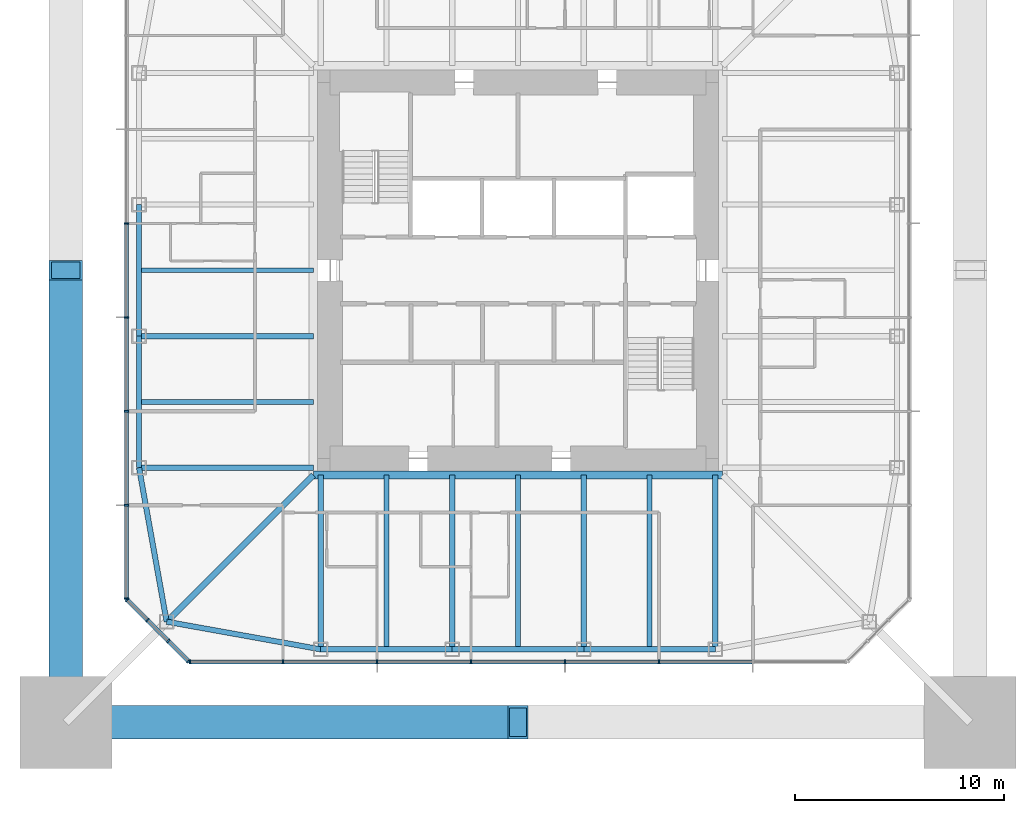
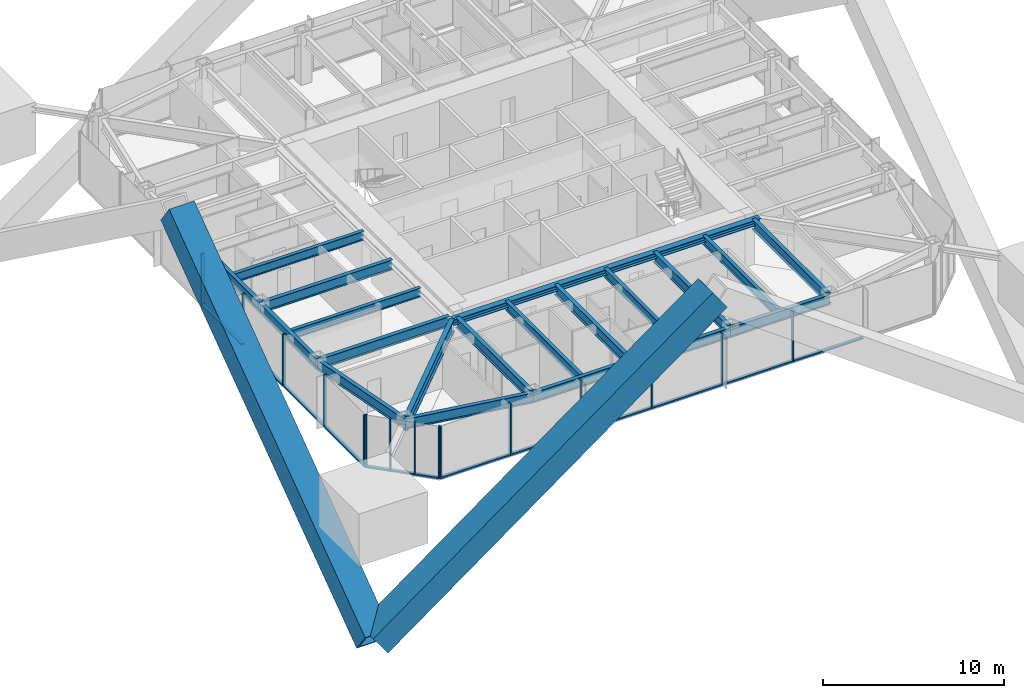
# One storey, part 2 of 13: 30 members, 20 beams, 3 elements without a shape of their own.
"""IFC4 building model written with IfcOpenShell, lengths in metres."""

from ifc_helpers import new_model, si_unit, direction, frame, origin, origin_2d, place, context, subcontext, project, spatial, rectangle, hollow_rectangle, i_section, extrude, material, material_profile, profile_set, type_object, element, aggregate, save


model = new_model("IFC4")

# Units and contexts
model_context = context("Model", 3, precision=1e-05, world=origin(), true_north=direction((0.0, 1.0)))
body_context = subcontext(model_context, "Body", "Model", "MODEL_VIEW")
ifc_project = project(units=[si_unit("LENGTHUNIT", "METRE"), si_unit("AREAUNIT", "SQUARE_METRE"), si_unit("VOLUMEUNIT", "CUBIC_METRE"), si_unit("PLANEANGLEUNIT", "RADIAN"), si_unit("MASSUNIT", "GRAM", prefix="KILO")], contexts=[model_context])

# Site, building, storey
site_placement = place(None, origin())
site = spatial("IfcSite", under=ifc_project, at=site_placement, CompositionType="ELEMENT")
building_placement = place(site_placement, origin())
building = spatial("IfcBuilding", under=site, at=building_placement, Name="Iwan Alto Co-Living Towers", CompositionType="ELEMENT")
storey_placement = place(building_placement, frame((0.0, 0.0, 184.5)))
storey = spatial("IfcBuildingStorey", under=building, at=storey_placement, Name="L50", CompositionType="ELEMENT", Elevation=184.5)

# Curtain wall, members
ifc_material_1 = material(Name="Bronze aluminium unitised frame", Category="aluminium")
curtain_wall_type_1 = type_object("IfcCurtainWallType", Name="CURTAIN WALL CW-A", PredefinedType="NOTDEFINED", material=ifc_material_1)
curtain_wall_1_placement = place(storey_placement, origin())
curtain_wall_1 = element("IfcCurtainWall", 1, at=curtain_wall_1_placement, inside=storey, type_object=curtain_wall_type_1, Name="T1 curtain wall S L50", PredefinedType="NOTDEFINED")
ifc_material_2 = material(Name="Aluminium 6063-T6 bronze anodised", Category="aluminium")
ifc_material_profile_1 = material_profile(ifc_material_2, rectangle(XDim=0.199951171875, YDim=0.080078125, at=origin_2d()), Name="AL 80X200")
ifc_profile_set_1 = profile_set([ifc_material_profile_1], Name="Aluminium 6063-T6 bronze anodised")
member_type_1 = type_object("IfcMemberType", Name="CW-A MULLION 80X200", PredefinedType="MULLION", material=ifc_profile_set_1)
member_1_placement = place(storey_placement, frame((-15.7099609375, -18.75, 0.0), z_axis=(0.0, 0.0, 1.0), x_axis=(0.0, 1.0, 0.0)))
member_1 = element("IfcMember", 2, at=member_1_placement, type_object=member_type_1, Name="CW-A mullion 1", PredefinedType="MULLION", context=body_context, shape_type="SweptSolid", body=[
    extrude(rectangle(XDim=0.199951171875, YDim=0.080078125, at=origin_2d()), origin(), (0.0, 0.0, 1.0), 3.5),
])
member_2_placement = place(storey_placement, frame((-11.25, -18.75, 0.0), z_axis=(0.0, 0.0, 1.0), x_axis=(0.0, 1.0, 0.0)))
member_2 = element("IfcMember", 3, at=member_2_placement, type_object=member_type_1, Name="CW-A mullion 2", PredefinedType="MULLION", context=body_context, shape_type="SweptSolid", body=[
    extrude(rectangle(XDim=0.199951171875, YDim=0.080078125, at=origin_2d()), origin(), (0.0, 0.0, 1.0), 3.5),
])
member_3_placement = place(storey_placement, frame((-6.75, -18.75, 0.0), z_axis=(0.0, 0.0, 1.0), x_axis=(0.0, 1.0, 0.0)))
member_3 = element("IfcMember", 4, at=member_3_placement, type_object=member_type_1, Name="CW-A mullion 3", PredefinedType="MULLION", context=body_context, shape_type="SweptSolid", body=[
    extrude(rectangle(XDim=0.199951171875, YDim=0.080078125, at=origin_2d()), origin(), (0.0, 0.0, 1.0), 3.5),
])
member_4_placement = place(storey_placement, frame((-2.25, -18.75, 0.0), z_axis=(0.0, 0.0, 1.0), x_axis=(0.0, 1.0, 0.0)))
member_4 = element("IfcMember", 5, at=member_4_placement, type_object=member_type_1, Name="CW-A mullion 4", PredefinedType="MULLION", context=body_context, shape_type="SweptSolid", body=[
    extrude(rectangle(XDim=0.199951171875, YDim=0.080078125, at=origin_2d()), origin(), (0.0, 0.0, 1.0), 3.5),
])
member_5_placement = place(storey_placement, frame((2.25, -18.75, 0.0), z_axis=(0.0, 0.0, 1.0), x_axis=(0.0, 1.0, 0.0)))
member_5 = element("IfcMember", 6, at=member_5_placement, type_object=member_type_1, Name="CW-A mullion 5", PredefinedType="MULLION", context=body_context, shape_type="SweptSolid", body=[
    extrude(rectangle(XDim=0.199951171875, YDim=0.080078125, at=origin_2d()), origin(), (0.0, 0.0, 1.0), 3.5),
])
member_6_placement = place(storey_placement, frame((6.75, -18.75, 0.0), z_axis=(0.0, 0.0, 1.0), x_axis=(0.0, 1.0, 0.0)))
member_6 = element("IfcMember", 7, at=member_6_placement, type_object=member_type_1, Name="CW-A mullion 6", PredefinedType="MULLION", context=body_context, shape_type="SweptSolid", body=[
    extrude(rectangle(XDim=0.199951171875, YDim=0.080078125, at=origin_2d()), origin(), (0.0, 0.0, 1.0), 3.5),
])

curtain_wall_2_placement = place(storey_placement, origin())
curtain_wall_2 = element("IfcCurtainWall", 8, at=curtain_wall_2_placement, inside=storey, type_object=curtain_wall_type_1, Name="T1 curtain wall W L50", PredefinedType="NOTDEFINED")
member_7_placement = place(storey_placement, frame((-18.75, 2.25, 0.0), z_axis=(0.0, 0.0, 1.0), x_axis=(1.0, 0.0, 0.0)))
member_7 = element("IfcMember", 9, at=member_7_placement, type_object=member_type_1, Name="CW-A mullion 4", PredefinedType="MULLION", context=body_context, shape_type="SweptSolid", body=[
    extrude(rectangle(XDim=0.199951171875, YDim=0.080078125, at=origin_2d()), origin(), (0.0, 0.0, 1.0), 3.5),
])
member_8_placement = place(storey_placement, frame((-18.75, -2.25, 0.0), z_axis=(0.0, 0.0, 1.0), x_axis=(1.0, 0.0, 0.0)))
member_8 = element("IfcMember", 10, at=member_8_placement, type_object=member_type_1, Name="CW-A mullion 5", PredefinedType="MULLION", context=body_context, shape_type="SweptSolid", body=[
    extrude(rectangle(XDim=0.199951171875, YDim=0.080078125, at=origin_2d()), origin(), (0.0, 0.0, 1.0), 3.5),
])
member_9_placement = place(storey_placement, frame((-18.75, -6.75, 0.0), z_axis=(0.0, 0.0, 1.0), x_axis=(1.0, 0.0, 0.0)))
member_9 = element("IfcMember", 11, at=member_9_placement, type_object=member_type_1, Name="CW-A mullion 6", PredefinedType="MULLION", context=body_context, shape_type="SweptSolid", body=[
    extrude(rectangle(XDim=0.199951171875, YDim=0.080078125, at=origin_2d()), origin(), (0.0, 0.0, 1.0), 3.5),
])
member_10_placement = place(storey_placement, frame((-18.75, -11.25, 0.0), z_axis=(0.0, 0.0, 1.0), x_axis=(1.0, 0.0, 0.0)))
member_10 = element("IfcMember", 12, at=member_10_placement, type_object=member_type_1, Name="CW-A mullion 7", PredefinedType="MULLION", context=body_context, shape_type="SweptSolid", body=[
    extrude(rectangle(XDim=0.199951171875, YDim=0.080078125, at=origin_2d()), origin(), (0.0, 0.0, 1.0), 3.5),
])
member_11_placement = place(storey_placement, frame((-18.75, -15.7099609375, 0.0), z_axis=(0.0, 0.0, 1.0), x_axis=(1.0, 0.0, 0.0)))
member_11 = element("IfcMember", 13, at=member_11_placement, type_object=member_type_1, Name="CW-A mullion 8", PredefinedType="MULLION", context=body_context, shape_type="SweptSolid", body=[
    extrude(rectangle(XDim=0.199951171875, YDim=0.080078125, at=origin_2d()), origin(), (0.0, 0.0, 1.0), 3.5),
])

# Member
ifc_material_3 = material(Name="Aluminium 6063-T6 bronze anodised", Category="aluminium")
ifc_material_profile_2 = material_profile(ifc_material_3, rectangle(XDim=0.199951171875, YDim=0.10009765625, at=origin_2d()), Name="AL 200X100")
ifc_profile_set_2 = profile_set([ifc_material_profile_2], Name="Aluminium 6063-T6 bronze anodised")
member_type_2 = type_object("IfcMemberType", Name="CW-A TRANSOM 200X100", PredefinedType="USERDEFINED", material=ifc_profile_set_2)
member_12_placement = place(storey_placement, frame((-15.669921875, -18.75, 0.050048828125), z_axis=(1.0, 0.0, 0.0), x_axis=(0.0, 1.0, 0.0)))
member_12 = element("IfcMember", 14, at=member_12_placement, type_object=member_type_2, Name="CW-A transom 1.1", ObjectType="TRANSOM", PredefinedType="USERDEFINED", context=body_context, shape_type="SweptSolid", body=[
    extrude(rectangle(XDim=0.199951171875, YDim=0.10009765625, at=origin_2d()), origin(), (0.0, 0.0, 1.0), 4.3798828125),
])

member_13_placement = place(storey_placement, frame((-11.2099609375, -18.75, 0.050048828125), z_axis=(1.0, 0.0, 0.0), x_axis=(0.0, 1.0, 0.0)))
member_13 = element("IfcMember", 15, at=member_13_placement, type_object=member_type_2, Name="CW-A transom 2.1", ObjectType="TRANSOM", PredefinedType="USERDEFINED", context=body_context, shape_type="SweptSolid", body=[
    extrude(rectangle(XDim=0.199951171875, YDim=0.10009765625, at=origin_2d()), origin(), (0.0, 0.0, 1.0), 4.419921875),
])

member_14_placement = place(storey_placement, frame((-6.7099609375, -18.75, 0.050048828125), z_axis=(1.0, 0.0, 0.0), x_axis=(0.0, 1.0, 0.0)))
member_14 = element("IfcMember", 16, at=member_14_placement, type_object=member_type_2, Name="CW-A transom 3.1", ObjectType="TRANSOM", PredefinedType="USERDEFINED", context=body_context, shape_type="SweptSolid", body=[
    extrude(rectangle(XDim=0.199951171875, YDim=0.10009765625, at=origin_2d()), origin(), (0.0, 0.0, 1.0), 4.419921875),
])

member_15_placement = place(storey_placement, frame((-2.2099609375, -18.75, 0.050048828125), z_axis=(1.0, 0.0, 0.0), x_axis=(0.0, 1.0, 0.0)))
member_15 = element("IfcMember", 17, at=member_15_placement, type_object=member_type_2, Name="CW-A transom 4.1", ObjectType="TRANSOM", PredefinedType="USERDEFINED", context=body_context, shape_type="SweptSolid", body=[
    extrude(rectangle(XDim=0.199951171875, YDim=0.10009765625, at=origin_2d()), origin(), (0.0, 0.0, 1.0), 4.419921875),
])

member_16_placement = place(storey_placement, frame((2.2900390625, -18.75, 0.050048828125), z_axis=(1.0, 0.0, 0.0), x_axis=(0.0, 1.0, 0.0)))
member_16 = element("IfcMember", 18, at=member_16_placement, type_object=member_type_2, Name="CW-A transom 5.1", ObjectType="TRANSOM", PredefinedType="USERDEFINED", context=body_context, shape_type="SweptSolid", body=[
    extrude(rectangle(XDim=0.199951171875, YDim=0.10009765625, at=origin_2d()), origin(), (0.0, 0.0, 1.0), 4.419921875),
])

member_17_placement = place(storey_placement, frame((6.7900390625, -18.75, 0.050048828125), z_axis=(1.0, 0.0, 0.0), x_axis=(0.0, 1.0, 0.0)))
member_17 = element("IfcMember", 19, at=member_17_placement, type_object=member_type_2, Name="CW-A transom 6.1", ObjectType="TRANSOM", PredefinedType="USERDEFINED", context=body_context, shape_type="SweptSolid", body=[
    extrude(rectangle(XDim=0.199951171875, YDim=0.10009765625, at=origin_2d()), origin(), (0.0, 0.0, 1.0), 4.419921875),
])

aggregate(curtain_wall_1, [member_1, member_2, member_3, member_4, member_5, member_6, member_12, member_13, member_14, member_15, member_16, member_17])

member_18_placement = place(storey_placement, frame((-18.75, 2.2099609375, 0.050048828125), z_axis=(0.0, -1.0, 0.0), x_axis=(1.0, 0.0, 0.0)))
member_18 = element("IfcMember", 20, at=member_18_placement, type_object=member_type_2, Name="CW-A transom 4.1", ObjectType="TRANSOM", PredefinedType="USERDEFINED", context=body_context, shape_type="SweptSolid", body=[
    extrude(rectangle(XDim=0.199951171875, YDim=0.10009765625, at=origin_2d()), origin(), (0.0, 0.0, 1.0), 4.419921875),
])

member_19_placement = place(storey_placement, frame((-18.75, -2.2900390625, 0.050048828125), z_axis=(0.0, -1.0, 0.0), x_axis=(1.0, 0.0, 0.0)))
member_19 = element("IfcMember", 21, at=member_19_placement, type_object=member_type_2, Name="CW-A transom 5.1", ObjectType="TRANSOM", PredefinedType="USERDEFINED", context=body_context, shape_type="SweptSolid", body=[
    extrude(rectangle(XDim=0.199951171875, YDim=0.10009765625, at=origin_2d()), origin(), (0.0, 0.0, 1.0), 4.419921875),
])

member_20_placement = place(storey_placement, frame((-18.75, -6.7900390625, 0.050048828125), z_axis=(0.0, -1.0, 0.0), x_axis=(1.0, 0.0, 0.0)))
member_20 = element("IfcMember", 22, at=member_20_placement, type_object=member_type_2, Name="CW-A transom 6.1", ObjectType="TRANSOM", PredefinedType="USERDEFINED", context=body_context, shape_type="SweptSolid", body=[
    extrude(rectangle(XDim=0.199951171875, YDim=0.10009765625, at=origin_2d()), origin(), (0.0, 0.0, 1.0), 4.419921875),
])

member_21_placement = place(storey_placement, frame((-18.75, -11.2900390625, 0.050048828125), z_axis=(0.0, -1.0, 0.0), x_axis=(1.0, 0.0, 0.0)))
member_21 = element("IfcMember", 23, at=member_21_placement, type_object=member_type_2, Name="CW-A transom 7.1", ObjectType="TRANSOM", PredefinedType="USERDEFINED", context=body_context, shape_type="SweptSolid", body=[
    extrude(rectangle(XDim=0.199951171875, YDim=0.10009765625, at=origin_2d()), origin(), (0.0, 0.0, 1.0), 4.3798828125),
])

aggregate(curtain_wall_2, [member_7, member_8, member_9, member_10, member_11, member_18, member_19, member_20, member_21])

# Curtain wall, members
ifc_material_4 = material(Name="Bronze aluminium unitised frame", Category="aluminium")
curtain_wall_type_2 = type_object("IfcCurtainWallType", Name="CURTAIN WALL CW-B", PredefinedType="NOTDEFINED", material=ifc_material_4)
curtain_wall_3_placement = place(storey_placement, origin())
curtain_wall_3 = element("IfcCurtainWall", 24, at=curtain_wall_3_placement, inside=storey, type_object=curtain_wall_type_2, Name="T1 chamfer curtain wall SW L50", PredefinedType="NOTDEFINED")
ifc_material_5 = material(Name="Aluminium 6063-T6 bronze anodised", Category="aluminium")
ifc_material_profile_3 = material_profile(ifc_material_5, rectangle(XDim=0.199951171875, YDim=0.080078125, at=origin_2d()), Name="AL 80X200")
ifc_profile_set_3 = profile_set([ifc_material_profile_3], Name="Aluminium 6063-T6 bronze anodised")
member_type_3 = type_object("IfcMemberType", Name="CW-B MULLION 80X200", PredefinedType="MULLION", material=ifc_profile_set_3)
member_22_placement = place(storey_placement, frame((-18.7216796875, -15.7783203125, 0.0), z_axis=(0.0, 0.0, 1.0), x_axis=(0.707106781187, 0.707106781187, 0.0)))
member_22 = element("IfcMember", 25, at=member_22_placement, type_object=member_type_3, Name="CW-B mullion 1", PredefinedType="MULLION", context=body_context, shape_type="SweptSolid", body=[
    extrude(rectangle(XDim=0.199951171875, YDim=0.080078125, at=origin_2d()), origin(), (0.0, 0.0, 1.0), 3.5),
])
member_23_placement = place(storey_placement, frame((-17.75, -16.75, 0.0), z_axis=(0.0, 0.0, 1.0), x_axis=(0.707106781187, 0.707106781187, 0.0)))
member_23 = element("IfcMember", 26, at=member_23_placement, type_object=member_type_3, Name="CW-B mullion 2", PredefinedType="MULLION", context=body_context, shape_type="SweptSolid", body=[
    extrude(rectangle(XDim=0.199951171875, YDim=0.080078125, at=origin_2d()), origin(), (0.0, 0.0, 1.0), 3.5),
])
member_24_placement = place(storey_placement, frame((-16.75, -17.75, 0.0), z_axis=(0.0, 0.0, 1.0), x_axis=(0.707106781187, 0.707106781187, 0.0)))
member_24 = element("IfcMember", 27, at=member_24_placement, type_object=member_type_3, Name="CW-B mullion 3", PredefinedType="MULLION", context=body_context, shape_type="SweptSolid", body=[
    extrude(rectangle(XDim=0.199951171875, YDim=0.080078125, at=origin_2d()), origin(), (0.0, 0.0, 1.0), 3.5),
])
member_25_placement = place(storey_placement, frame((-15.7783203125, -18.7216796875, 0.0), z_axis=(0.0, 0.0, 1.0), x_axis=(0.707106781187, 0.707106781187, 0.0)))
member_25 = element("IfcMember", 28, at=member_25_placement, type_object=member_type_3, Name="CW-B mullion 4", PredefinedType="MULLION", context=body_context, shape_type="SweptSolid", body=[
    extrude(rectangle(XDim=0.199951171875, YDim=0.080078125, at=origin_2d()), origin(), (0.0, 0.0, 1.0), 3.5),
])
ifc_material_6 = material(Name="Aluminium 6063-T6 bronze anodised", Category="aluminium")
ifc_material_profile_4 = material_profile(ifc_material_6, rectangle(XDim=0.199951171875, YDim=0.10009765625, at=origin_2d()), Name="AL 200X100")
ifc_profile_set_4 = profile_set([ifc_material_profile_4], Name="Aluminium 6063-T6 bronze anodised")
member_type_4 = type_object("IfcMemberType", Name="CW-B TRANSOM 200X100", PredefinedType="USERDEFINED", material=ifc_profile_set_4)
member_26_placement = place(storey_placement, frame((-18.693359375, -15.806640625, 0.050048828125), z_axis=(0.707106781187, -0.707106781187, 0.0), x_axis=(0.707106781187, 0.707106781187, 0.0)))
member_26 = element("IfcMember", 29, at=member_26_placement, type_object=member_type_4, Name="CW-B transom 1.1", ObjectType="TRANSOM", PredefinedType="USERDEFINED", context=body_context, shape_type="SweptSolid", body=[
    extrude(rectangle(XDim=0.199951171875, YDim=0.10009765625, at=origin_2d()), origin(), (0.0, 0.0, 1.0), 1.2939453125),
])
member_27_placement = place(storey_placement, frame((-17.7216796875, -16.7783203125, 0.050048828125), z_axis=(0.707106781187, -0.707106781187, 0.0), x_axis=(0.707106781187, 0.707106781187, 0.0)))
member_27 = element("IfcMember", 30, at=member_27_placement, type_object=member_type_4, Name="CW-B transom 2.1", ObjectType="TRANSOM", PredefinedType="USERDEFINED", context=body_context, shape_type="SweptSolid", body=[
    extrude(rectangle(XDim=0.199951171875, YDim=0.10009765625, at=origin_2d()), origin(), (0.0, 0.0, 1.0), 1.334228515625),
])
member_28_placement = place(storey_placement, frame((-16.7216796875, -17.7783203125, 0.050048828125), z_axis=(0.707106781187, -0.707106781187, 0.0), x_axis=(0.707106781187, 0.707106781187, 0.0)))
member_28 = element("IfcMember", 31, at=member_28_placement, type_object=member_type_4, Name="CW-B transom 3.1", ObjectType="TRANSOM", PredefinedType="USERDEFINED", context=body_context, shape_type="SweptSolid", body=[
    extrude(rectangle(XDim=0.199951171875, YDim=0.10009765625, at=origin_2d()), origin(), (0.0, 0.0, 1.0), 1.2939453125),
])
aggregate(curtain_wall_3, [member_22, member_23, member_24, member_25, member_26, member_27, member_28])

# Beams
ifc_material_7 = material(Name="Steel ASTM A992 Gr 50", Category="steel")
ifc_material_profile_5 = material_profile(ifc_material_7, i_section(OverallWidth=0.398681640625, OverallDepth=0.385986328125, WebThickness=0.02099609375, FlangeThickness=0.033203125, at=origin_2d()), Name="W14X176")
ifc_profile_set_5 = profile_set([ifc_material_profile_5], Name="Steel ASTM A992 Gr 50")
beam_type_1 = type_object("IfcBeamType", Name="T1 CORE LEDGER BEAM W14X176", PredefinedType="BEAM", material=ifc_profile_set_5)
beam_1_placement = place(storey_placement, frame((-9.79931640625, -9.79931640625, 3.076904296875), z_axis=(1.0, 0.0, 0.0), x_axis=(0.0, 1.0, 0.0)))
element("IfcBeam", 32, at=beam_1_placement, inside=storey, type_object=beam_type_1, Name="T1 core ledger beam S L51", PredefinedType="BEAM", context=body_context, shape_type="SweptSolid", body=[
    extrude(i_section(OverallWidth=0.398681640625, OverallDepth=0.385986328125, WebThickness=0.02099609375, FlangeThickness=0.033203125, at=origin_2d()), origin(), (0.0, 0.0, 1.0), 19.5986328125),
])
ifc_material_8 = material(Name="Steel ASTM A992 Gr 50", Category="steel")
ifc_material_profile_6 = material_profile(ifc_material_8, i_section(OverallWidth=0.2919921875, OverallDepth=0.8408203125, WebThickness=0.0146484375, FlangeThickness=0.021728515625, at=origin_2d()), Name="W33X130")
ifc_profile_set_6 = profile_set([ifc_material_profile_6], Name="Steel ASTM A992 Gr 50")
beam_type_2 = type_object("IfcBeamType", Name="T1 CORNER GIRDER W33X130", PredefinedType="BEAM", material=ifc_profile_set_6)
beam_2_placement = place(storey_placement, frame((-16.82568359375, -16.82568359375, 2.849609375), z_axis=(0.707106781187, 0.707106781187, 0.0), x_axis=(-0.707106781187, 0.707106781187, 0.0)))
element("IfcBeam", 33, at=beam_2_placement, inside=storey, type_object=beam_type_2, Name="T1 corner girder CSW L51", PredefinedType="BEAM", context=body_context, shape_type="SweptSolid", body=[
    extrude(i_section(OverallWidth=0.2919921875, OverallDepth=0.8408203125, WebThickness=0.0146484375, FlangeThickness=0.021728515625, at=origin_2d()), origin(), (0.0, 0.0, 1.0), 9.936767578125),
])
ifc_material_9 = material(Name="Steel ASTM A992 Gr 50", Category="steel")
ifc_material_profile_7 = material_profile(ifc_material_9, i_section(OverallWidth=0.25390625, OverallDepth=0.683349609375, WebThickness=0.012451171875, FlangeThickness=0.018798828125, at=origin_2d()), Name="W27X94")
ifc_profile_set_7 = profile_set([ifc_material_profile_7], Name="Steel ASTM A992 Gr 50")
beam_type_3 = type_object("IfcBeamType", Name="T1 EDGE BEAM W27X94", PredefinedType="BEAM", material=ifc_profile_set_7)
beam_3_placement = place(storey_placement, frame((-16.82568359375, -16.82568359375, 2.928466796875), z_axis=(0.98426263553, -0.17671181143, 0.0), x_axis=(0.17671181143, 0.98426263553, 0.0)))
element("IfcBeam", 34, at=beam_3_placement, inside=storey, type_object=beam_type_3, Name="T1 edge beam CSW L51", PredefinedType="BEAM", context=body_context, shape_type="SweptSolid", body=[
    extrude(i_section(OverallWidth=0.25390625, OverallDepth=0.683349609375, WebThickness=0.012451171875, FlangeThickness=0.018798828125, at=origin_2d()), origin(), (0.0, 0.0, 1.0), 7.49365234375),
])
beam_4_placement = place(storey_placement, frame((-9.449951171875, -18.14990234375, 2.928466796875), z_axis=(1.0, 0.0, 0.0), x_axis=(0.0, 1.0, 0.0)))
element("IfcBeam", 35, at=beam_4_placement, inside=storey, type_object=beam_type_3, Name="T1 edge beam S1 L51", PredefinedType="BEAM", context=body_context, shape_type="SweptSolid", body=[
    extrude(i_section(OverallWidth=0.25390625, OverallDepth=0.683349609375, WebThickness=0.012451171875, FlangeThickness=0.018798828125, at=origin_2d()), origin(), (0.0, 0.0, 1.0), 6.300048828125),
])
beam_5_placement = place(storey_placement, frame((-3.14990234375, -18.14990234375, 2.928466796875), z_axis=(1.0, 0.0, 0.0), x_axis=(0.0, 1.0, 0.0)))
element("IfcBeam", 36, at=beam_5_placement, inside=storey, type_object=beam_type_3, Name="T1 edge beam S2 L51", PredefinedType="BEAM", context=body_context, shape_type="SweptSolid", body=[
    extrude(i_section(OverallWidth=0.25390625, OverallDepth=0.683349609375, WebThickness=0.012451171875, FlangeThickness=0.018798828125, at=origin_2d()), origin(), (0.0, 0.0, 1.0), 6.2998046875),
])
beam_6_placement = place(storey_placement, frame((3.14990234375, -18.14990234375, 2.928466796875), z_axis=(1.0, 0.0, 0.0), x_axis=(0.0, 1.0, 0.0)))
element("IfcBeam", 37, at=beam_6_placement, inside=storey, type_object=beam_type_3, Name="T1 edge beam S3 L51", PredefinedType="BEAM", context=body_context, shape_type="SweptSolid", body=[
    extrude(i_section(OverallWidth=0.25390625, OverallDepth=0.683349609375, WebThickness=0.012451171875, FlangeThickness=0.018798828125, at=origin_2d()), origin(), (0.0, 0.0, 1.0), 6.300048828125),
])
beam_7_placement = place(storey_placement, frame((-18.14990234375, 3.14990234375, 2.928466796875), z_axis=(0.0, -1.0, 0.0), x_axis=(1.0, 0.0, 0.0)))
element("IfcBeam", 38, at=beam_7_placement, inside=storey, type_object=beam_type_3, Name="T1 edge beam W2 L51", PredefinedType="BEAM", context=body_context, shape_type="SweptSolid", body=[
    extrude(i_section(OverallWidth=0.25390625, OverallDepth=0.683349609375, WebThickness=0.012451171875, FlangeThickness=0.018798828125, at=origin_2d()), origin(), (0.0, 0.0, 1.0), 6.2998046875),
])
beam_8_placement = place(storey_placement, frame((-18.14990234375, -3.14990234375, 2.928466796875), z_axis=(0.0, -1.0, 0.0), x_axis=(1.0, 0.0, 0.0)))
element("IfcBeam", 39, at=beam_8_placement, inside=storey, type_object=beam_type_3, Name="T1 edge beam W3 L51", PredefinedType="BEAM", context=body_context, shape_type="SweptSolid", body=[
    extrude(i_section(OverallWidth=0.25390625, OverallDepth=0.683349609375, WebThickness=0.012451171875, FlangeThickness=0.018798828125, at=origin_2d()), origin(), (0.0, 0.0, 1.0), 6.300048828125),
])
beam_9_placement = place(storey_placement, frame((-18.14990234375, -9.449951171875, 2.928466796875), z_axis=(0.17671181143, -0.98426263553, 0.0), x_axis=(0.98426263553, 0.17671181143, 0.0)))
element("IfcBeam", 40, at=beam_9_placement, inside=storey, type_object=beam_type_3, Name="T1 edge beam W4 L51", PredefinedType="BEAM", context=body_context, shape_type="SweptSolid", body=[
    extrude(i_section(OverallWidth=0.25390625, OverallDepth=0.683349609375, WebThickness=0.012451171875, FlangeThickness=0.018798828125, at=origin_2d()), origin(), (0.0, 0.0, 1.0), 7.49365234375),
])

# Members
ifc_material_10 = material(Name="Steel ASTM A572 Gr 42", Category="steel")
ifc_material_profile_8 = material_profile(ifc_material_10, hollow_rectangle(XDim=1.60009765625, YDim=1.60009765625, WallThickness=0.1201171875, at=origin_2d()), Name="BOX 1600X1600X120")
ifc_profile_set_8 = profile_set([ifc_material_profile_8], Name="Steel ASTM A572 Gr 42")
member_type_5 = type_object("IfcMemberType", Name="T1 MEGA BRACE BOX 1600X1600X120", PredefinedType="BRACE", material=ifc_profile_set_8)
for number, where, z_axis, x_axis, name in (
    (41, (-21.64990234375, -21.64990234375, -7.0), (0.808654054795, 0.0, 0.588284471717), (0.0, 1.0, 0.0), "T1 mega brace Z3B S 1 lower"),
    (42, (-21.64990234375, -21.64990234375, -7.0), (0.0, 0.808654054795, 0.588284471717), (-1.0, 0.0, 0.0), "T1 mega brace Z3B W 2 lower"),
):
    element("IfcMember", number, at=place(storey_placement, frame(where, z_axis=z_axis, x_axis=x_axis)), inside=storey, type_object=member_type_5, Name=name, PredefinedType="BRACE", context=body_context, shape_type="SweptSolid", body=[
        extrude(hollow_rectangle(XDim=1.60009765625, YDim=1.60009765625, WallThickness=0.1201171875, at=origin_2d()), origin(), (0.0, 0.0, 1.0), 26.772705078125),
    ])

# Beams
ifc_material_11 = material(Name="Steel ASTM A992 Gr 50", Category="steel")
ifc_material_profile_9 = material_profile(ifc_material_11, i_section(OverallWidth=0.25390625, OverallDepth=0.683349609375, WebThickness=0.012451171875, FlangeThickness=0.018798828125, at=origin_2d()), Name="W27X94")
ifc_profile_set_9 = profile_set([ifc_material_profile_9], Name="Steel ASTM A992 Gr 50")
beam_type_4 = type_object("IfcBeamType", Name="T1 RADIAL BEAM W27X94", PredefinedType="BEAM", material=ifc_profile_set_9)
for number, where, z_axis, x_axis, name in (
    (43, (-9.449951171875, -18.14990234375, 2.928466796875), (0.0, 1.0, 0.0), (-1.0, 0.0, 0.0), "T1 radial beam S1 L51"),
    (44, (-3.14990234375, -18.14990234375, 2.928466796875), (0.0, 1.0, 0.0), (-1.0, 0.0, 0.0), "T1 radial beam S2 L51"),
    (45, (3.14990234375, -18.14990234375, 2.928466796875), (0.0, 1.0, 0.0), (-1.0, 0.0, 0.0), "T1 radial beam S3 L51"),
    (46, (9.449951171875, -18.14990234375, 2.928466796875), (0.0, 1.0, 0.0), (-1.0, 0.0, 0.0), "T1 radial beam S4 L51"),
    (47, (-18.14990234375, -3.14990234375, 2.928466796875), (1.0, 0.0, 0.0), (0.0, 1.0, 0.0), "T1 radial beam W3 L51"),
    (48, (-18.14990234375, -9.449951171875, 2.928466796875), (1.0, 0.0, 0.0), (0.0, 1.0, 0.0), "T1 radial beam W4 L51"),
):
    element("IfcBeam", number, at=place(storey_placement, frame(where, z_axis=z_axis, x_axis=x_axis)), inside=storey, type_object=beam_type_4, Name=name, PredefinedType="BEAM", context=body_context, shape_type="SweptSolid", body=[
        extrude(i_section(OverallWidth=0.25390625, OverallDepth=0.683349609375, WebThickness=0.012451171875, FlangeThickness=0.018798828125, at=origin_2d()), origin(), (0.0, 0.0, 1.0), 8.3505859375),
    ])
ifc_material_12 = material(Name="Steel ASTM A992 Gr 50", Category="steel")
ifc_material_profile_10 = material_profile(ifc_material_12, i_section(OverallWidth=0.228271484375, OverallDepth=0.607177734375, WebThickness=0.01123046875, FlangeThickness=0.017333984375, at=origin_2d()), Name="W24X76")
ifc_profile_set_10 = profile_set([ifc_material_profile_10], Name="Steel ASTM A992 Gr 50")
beam_type_5 = type_object("IfcBeamType", Name="T1 SECONDARY BEAM W24X76", PredefinedType="JOIST", material=ifc_profile_set_10)
for number, where, z_axis, x_axis, name in (
    (49, (-6.300048828125, -18.14990234375, 2.966552734375), (0.0, 1.0, 0.0), (-1.0, 0.0, 0.0), "T1 secondary beam S1 L51"),
    (50, (0.0, -18.14990234375, 2.966552734375), (0.0, 1.0, 0.0), (-1.0, 0.0, 0.0), "T1 secondary beam S2 L51"),
    (51, (6.300048828125, -18.14990234375, 2.966552734375), (0.0, 1.0, 0.0), (-1.0, 0.0, 0.0), "T1 secondary beam S3 L51"),
    (52, (-18.14990234375, 0.0, 2.966552734375), (1.0, 0.0, 0.0), (0.0, 1.0, 0.0), "T1 secondary beam W2 L51"),
    (53, (-18.14990234375, -6.300048828125, 2.966552734375), (1.0, 0.0, 0.0), (0.0, 1.0, 0.0), "T1 secondary beam W3 L51"),
):
    element("IfcBeam", number, at=place(storey_placement, frame(where, z_axis=z_axis, x_axis=x_axis)), inside=storey, type_object=beam_type_5, Name=name, PredefinedType="JOIST", context=body_context, shape_type="SweptSolid", body=[
        extrude(i_section(OverallWidth=0.228271484375, OverallDepth=0.607177734375, WebThickness=0.01123046875, FlangeThickness=0.017333984375, at=origin_2d()), origin(), (0.0, 0.0, 1.0), 8.3505859375),
    ])

save(model, "model.ifc")
